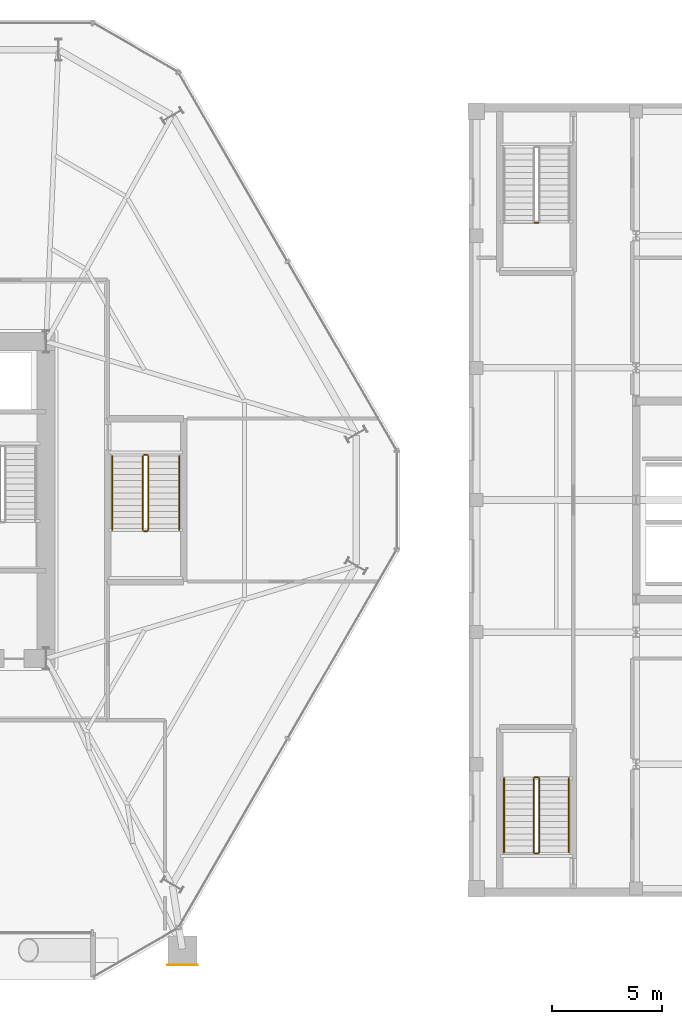
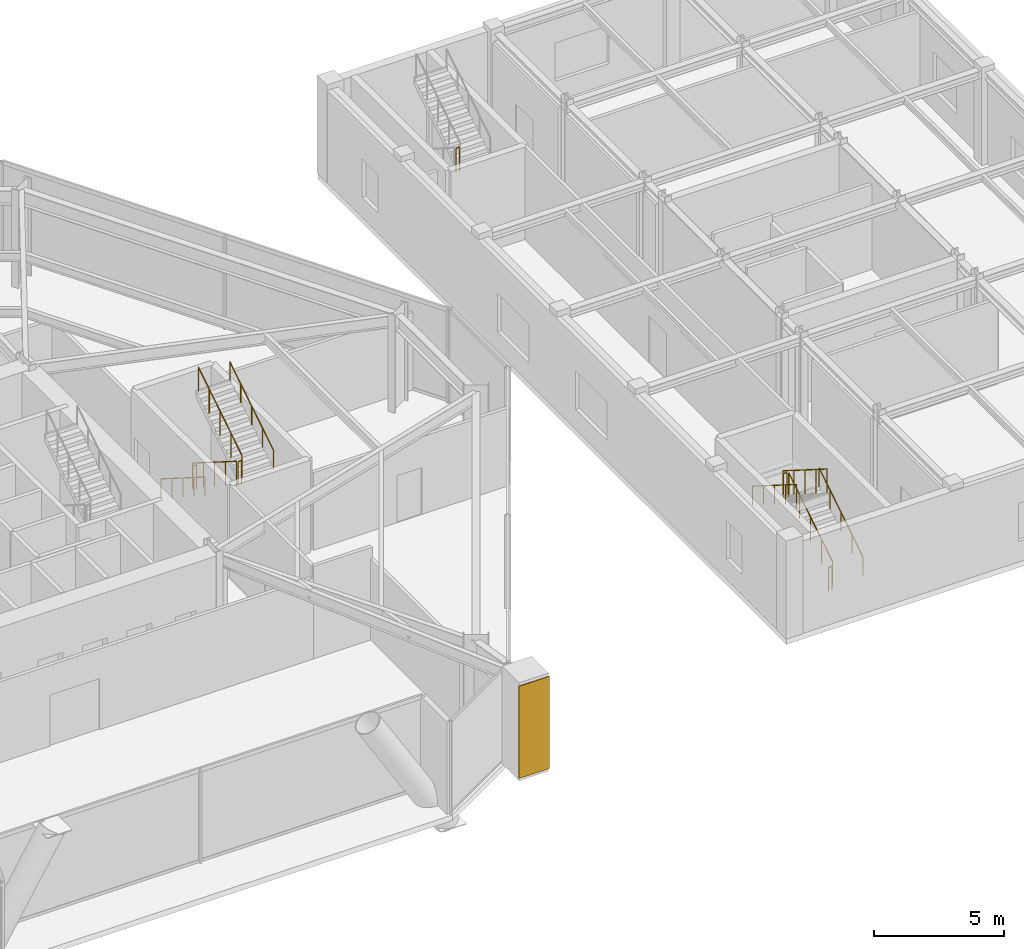
# One storey, part 22 of 23: 13 railings, 1 covering.
"""IFC4 building model written with IfcOpenShell, lengths in metres."""

from ifc_helpers import new_model, si_unit, direction, frame, origin, origin_2d, place, context, subcontext, project, spatial, rectangle, circle, extrude, material, layer, layer_set, type_object, element, save


model = new_model("IFC4")

# Units and contexts
model_context = context("Model", 3, precision=1e-05, world=origin(), true_north=direction((0.0, 1.0)))
body_context = subcontext(model_context, "Body", "Model", "MODEL_VIEW")
ifc_project = project(units=[si_unit("LENGTHUNIT", "METRE"), si_unit("AREAUNIT", "SQUARE_METRE"), si_unit("VOLUMEUNIT", "CUBIC_METRE"), si_unit("PLANEANGLEUNIT", "RADIAN"), si_unit("MASSUNIT", "GRAM", prefix="KILO")], contexts=[model_context])

# Site, building, storey
site_placement = place(None, origin())
site = spatial("IfcSite", under=ifc_project, at=site_placement, CompositionType="ELEMENT")
building_placement = place(site_placement, origin())
building = spatial("IfcBuilding", under=site, at=building_placement, Name="Kranzbogen Civic Tower", CompositionType="ELEMENT")
storey_placement = place(building_placement, frame((0.0, 0.0, 9.800048828125)))
storey = spatial("IfcBuildingStorey", under=building, at=storey_placement, Name="L02", CompositionType="ELEMENT", Elevation=9.800048828125)

# Railings
ifc_material_1 = material(Name="Steel S355", Category="steel")
railing_type_1 = type_object("IfcRailingType", Name="Internal Stair and Void Steel Guardrail 1150", PredefinedType="GUARDRAIL", material=ifc_material_1)
railing_1_placement = place(storey_placement, frame((37.199951171875, 27.0, 0.1767578125)))
element("IfcRailing", 1, at=railing_1_placement, inside=storey, type_object=railing_type_1, Name="L02 ST-P2 stair guard 1", PredefinedType="GUARDRAIL", context=body_context, shape_type="SweptSolid", body=[
    extrude(circle(Radius=0.02392578125, at=origin_2d()), frame((0.0, 0.0, 1.1259765625), z_axis=(0.0, -0.845361898145, 0.534194029511), x_axis=(1.0, 0.0, 0.0)), (0.0, 0.0, 1.0), 3.974853515625),
    extrude(circle(Radius=0.02099609375, at=origin_2d()), origin(), (0.0, 0.0, 1.0), 1.101806640625),
    extrude(circle(Radius=0.02099609375, at=origin_2d()), frame((0.0, -0.840087890625, 0.53076171875)), (0.0, 0.0, 1.0), 1.101806640625),
    extrude(circle(Radius=0.02099609375, at=origin_2d()), frame((0.0, -1.68017578125, 1.0615234375)), (0.0, 0.0, 1.0), 1.101806640625),
    extrude(circle(Radius=0.02099609375, at=origin_2d()), frame((0.0, -2.52001953125, 1.592529296875)), (0.0, 0.0, 1.0), 1.101806640625),
    extrude(circle(Radius=0.02099609375, at=origin_2d()), frame((0.0, -3.360107421875, 2.123291015625)), (0.0, 0.0, 1.0), 1.101806640625),
])
railing_2_placement = place(storey_placement, frame((37.25, 23.590087890625, 2.300048828125)))
element("IfcRailing", 2, at=railing_2_placement, inside=storey, type_object=railing_type_1, Name="L02 ST-P2 stair guard 2", PredefinedType="GUARDRAIL", context=body_context, shape_type="SweptSolid", body=[
    extrude(circle(Radius=0.02392578125, at=origin_2d()), frame((0.0, 0.0, 1.1259765625), z_axis=(1.0, 0.0, 0.0), x_axis=(0.0, 1.0, 0.0)), (0.0, 0.0, 1.0), 0.14990234375),
    extrude(circle(Radius=0.02099609375, at=origin_2d()), origin(), (0.0, 0.0, 1.0), 1.101806640625),
    extrude(circle(Radius=0.02099609375, at=origin_2d()), frame((0.14990234375, 0.0, 0.0)), (0.0, 0.0, 1.0), 1.101806640625),
])
railing_3_placement = place(storey_placement, frame((37.449951171875, 23.639892578125, 2.476806640625)))
element("IfcRailing", 3, at=railing_3_placement, inside=storey, type_object=railing_type_1, Name="L02 ST-P2 stair guard 3", PredefinedType="GUARDRAIL", context=body_context, shape_type="SweptSolid", body=[
    extrude(circle(Radius=0.02392578125, at=origin_2d()), frame((0.0, 0.0, 1.1259765625), z_axis=(0.0, 0.845389635667, 0.534150132366), x_axis=(-1.0, 0.0, 0.0)), (0.0, 0.0, 1.0), 3.974609375),
    extrude(circle(Radius=0.02099609375, at=origin_2d()), origin(), (0.0, 0.0, 1.0), 1.101806640625),
    extrude(circle(Radius=0.02099609375, at=origin_2d()), frame((0.0, 0.840087890625, 0.53076171875)), (0.0, 0.0, 1.0), 1.101806640625),
    extrude(circle(Radius=0.02099609375, at=origin_2d()), frame((0.0, 1.68017578125, 1.0615234375)), (0.0, 0.0, 1.0), 1.101806640625),
    extrude(circle(Radius=0.02099609375, at=origin_2d()), frame((0.0, 2.52001953125, 1.59228515625)), (0.0, 0.0, 1.0), 1.101806640625),
    extrude(circle(Radius=0.02099609375, at=origin_2d()), frame((0.0, 3.360107421875, 2.123046875)), (0.0, 0.0, 1.0), 1.101806640625),
])
railing_4_placement = place(storey_placement, frame((37.25, 27.050048828125, 0.0)))
element("IfcRailing", 4, at=railing_4_placement, inside=storey, type_object=railing_type_1, Name="L02 ST-P2 stair guard 4", PredefinedType="GUARDRAIL", context=body_context, shape_type="SweptSolid", body=[
    extrude(circle(Radius=0.02392578125, at=origin_2d()), frame((0.0, 0.0, 1.1259765625), z_axis=(1.0, 0.0, 0.0), x_axis=(0.0, 1.0, 0.0)), (0.0, 0.0, 1.0), 0.14990234375),
    extrude(circle(Radius=0.02099609375, at=origin_2d()), origin(), (0.0, 0.0, 1.0), 1.101806640625),
    extrude(circle(Radius=0.02099609375, at=origin_2d()), frame((0.14990234375, 0.0, 0.0)), (0.0, 0.0, 1.0), 1.101806640625),
])
railing_5_placement = place(storey_placement, frame((55.199951171875, 9.0, 0.1767578125)))
element("IfcRailing", 5, at=railing_5_placement, inside=storey, type_object=railing_type_1, Name="L02 ST-H1 stair guard 1", PredefinedType="GUARDRAIL", context=body_context, shape_type="SweptSolid", body=[
    extrude(circle(Radius=0.02392578125, at=origin_2d()), frame((0.0, 0.0, 1.1259765625), z_axis=(0.0, 0.845361898145, 0.534194029511), x_axis=(-1.0, 0.0, 0.0)), (0.0, 0.0, 1.0), 3.974853515625),
    extrude(circle(Radius=0.02099609375, at=origin_2d()), origin(), (0.0, 0.0, 1.0), 1.101806640625),
    extrude(circle(Radius=0.02099609375, at=origin_2d()), frame((0.0, 0.840087890625, 0.53076171875)), (0.0, 0.0, 1.0), 1.101806640625),
    extrude(circle(Radius=0.02099609375, at=origin_2d()), frame((0.0, 1.68017578125, 1.0615234375)), (0.0, 0.0, 1.0), 1.101806640625),
    extrude(circle(Radius=0.02099609375, at=origin_2d()), frame((0.0, 2.52001953125, 1.592529296875)), (0.0, 0.0, 1.0), 1.101806640625),
    extrude(circle(Radius=0.02099609375, at=origin_2d()), frame((0.0, 3.360107421875, 2.123291015625)), (0.0, 0.0, 1.0), 1.101806640625),
])
railing_6_placement = place(storey_placement, frame((55.14990234375, 12.409912109375, 2.300048828125)))
element("IfcRailing", 6, at=railing_6_placement, inside=storey, type_object=railing_type_1, Name="L02 ST-H1 stair guard 2", PredefinedType="GUARDRAIL", context=body_context, shape_type="SweptSolid", body=[
    extrude(circle(Radius=0.02392578125, at=origin_2d()), frame((0.0, 0.0, 1.1259765625), z_axis=(-1.0, 0.0, 0.0), x_axis=(0.0, -1.0, 0.0)), (0.0, 0.0, 1.0), 0.14990234375),
    extrude(circle(Radius=0.02099609375, at=origin_2d()), origin(), (0.0, 0.0, 1.0), 1.101806640625),
    extrude(circle(Radius=0.02099609375, at=origin_2d()), frame((-0.14990234375, 0.0, 0.0)), (0.0, 0.0, 1.0), 1.101806640625),
])
railing_7_placement = place(storey_placement, frame((54.949951171875, 12.360107421875, 2.476806640625)))
element("IfcRailing", 7, at=railing_7_placement, inside=storey, type_object=railing_type_1, Name="L02 ST-H1 stair guard 3", PredefinedType="GUARDRAIL", context=body_context, shape_type="SweptSolid", body=[
    extrude(circle(Radius=0.02392578125, at=origin_2d()), frame((0.0, 0.0, 1.1259765625), z_axis=(0.0, -0.845389635667, 0.534150132366), x_axis=(1.0, 0.0, 0.0)), (0.0, 0.0, 1.0), 3.974609375),
    extrude(circle(Radius=0.02099609375, at=origin_2d()), origin(), (0.0, 0.0, 1.0), 1.101806640625),
    extrude(circle(Radius=0.02099609375, at=origin_2d()), frame((0.0, -0.840087890625, 0.53076171875)), (0.0, 0.0, 1.0), 1.101806640625),
    extrude(circle(Radius=0.02099609375, at=origin_2d()), frame((0.0, -1.68017578125, 1.0615234375)), (0.0, 0.0, 1.0), 1.101806640625),
    extrude(circle(Radius=0.02099609375, at=origin_2d()), frame((0.0, -2.52001953125, 1.59228515625)), (0.0, 0.0, 1.0), 1.101806640625),
    extrude(circle(Radius=0.02099609375, at=origin_2d()), frame((0.0, -3.360107421875, 2.123046875)), (0.0, 0.0, 1.0), 1.101806640625),
])
railing_8_placement = place(storey_placement, frame((55.14990234375, 8.949951171875, 0.0)))
element("IfcRailing", 8, at=railing_8_placement, inside=storey, type_object=railing_type_1, Name="L02 ST-H1 stair guard 4", PredefinedType="GUARDRAIL", context=body_context, shape_type="SweptSolid", body=[
    extrude(circle(Radius=0.02392578125, at=origin_2d()), frame((0.0, 0.0, 1.1259765625), z_axis=(-1.0, 0.0, 0.0), x_axis=(0.0, -1.0, 0.0)), (0.0, 0.0, 1.0), 0.14990234375),
    extrude(circle(Radius=0.02099609375, at=origin_2d()), origin(), (0.0, 0.0, 1.0), 1.101806640625),
    extrude(circle(Radius=0.02099609375, at=origin_2d()), frame((-0.14990234375, 0.0, 0.0)), (0.0, 0.0, 1.0), 1.101806640625),
])
railing_9_placement = place(storey_placement, frame((55.0, 37.590087890625, 2.300048828125)))
element("IfcRailing", 9, at=railing_9_placement, inside=storey, type_object=railing_type_1, Name="L02 ST-H2 stair guard 2", PredefinedType="GUARDRAIL", context=body_context, shape_type="SweptSolid", body=[
    extrude(circle(Radius=0.02392578125, at=origin_2d()), frame((0.0, 0.0, 1.1259765625), z_axis=(1.0, 0.0, 0.0), x_axis=(0.0, 1.0, 0.0)), (0.0, 0.0, 1.0), 0.14990234375),
    extrude(circle(Radius=0.02099609375, at=origin_2d()), origin(), (0.0, 0.0, 1.0), 1.101806640625),
    extrude(circle(Radius=0.02099609375, at=origin_2d()), frame((0.14990234375, 0.0, 0.0)), (0.0, 0.0, 1.0), 1.101806640625),
])

# Covering
ifc_material_2 = material(Name="Anodised Bronze Aluminium", Category="aluminium")
ifc_layer = layer(ifc_material_2, 0.034912109375, Name="Anodised Bronze Aluminium")
ifc_layer_set = layer_set([ifc_layer], Name="Anodised Bronze Aluminium")
covering_type = type_object("IfcCoveringType", Name="Portal Arch Pier Anodised Metal Cladding 35 mm", PredefinedType="CLADDING", material=ifc_layer_set)
covering_placement = place(storey_placement, frame((39.0, 3.882080078125, 0.14013671875), z_axis=(0.0, 0.0, 1.0), x_axis=(1.0, 0.0, 0.0)))
element("IfcCovering", 10, at=covering_placement, inside=storey, type_object=covering_type, Name="L02 portal arch pier 2 cladding", PredefinedType="CLADDING", context=body_context, shape_type="SweptSolid", body=[
    extrude(rectangle(XDim=1.3701171875, YDim=0.034912109375, at=origin_2d()), origin(), (0.0, 0.0, 1.0), 4.320068359375),
])

# Railings
ifc_material_3 = material(Name="Pale Anodised Aluminium", Category="aluminium")
railing_type_2 = type_object("IfcRailingType", Name="Tubular Stainless Stair Wall Handrail 900", PredefinedType="HANDRAIL", material=ifc_material_3)
railing_10_placement = place(storey_placement, frame((35.800048828125, 27.0, 0.1767578125)))
element("IfcRailing", 11, at=railing_10_placement, inside=storey, type_object=railing_type_2, Name="L02 ST-P2 stair handrail 1", PredefinedType="HANDRAIL", context=body_context, shape_type="SweptSolid", body=[
    extrude(circle(Radius=0.02392578125, at=origin_2d()), frame((0.0, 0.0, 0.8759765625), z_axis=(0.0, -0.845361898145, 0.534194029511), x_axis=(1.0, 0.0, 0.0)), (0.0, 0.0, 1.0), 3.974853515625),
    extrude(circle(Radius=0.02099609375, at=origin_2d()), origin(), (0.0, 0.0, 1.0), 0.851806640625),
    extrude(circle(Radius=0.02099609375, at=origin_2d()), frame((0.0, -0.840087890625, 0.53076171875)), (0.0, 0.0, 1.0), 0.851806640625),
    extrude(circle(Radius=0.02099609375, at=origin_2d()), frame((0.0, -1.68017578125, 1.0615234375)), (0.0, 0.0, 1.0), 0.851806640625),
    extrude(circle(Radius=0.02099609375, at=origin_2d()), frame((0.0, -2.52001953125, 1.592529296875)), (0.0, 0.0, 1.0), 0.851806640625),
    extrude(circle(Radius=0.02099609375, at=origin_2d()), frame((0.0, -3.360107421875, 2.123291015625)), (0.0, 0.0, 1.0), 0.851806640625),
])
railing_11_placement = place(storey_placement, frame((38.85009765625, 23.639892578125, 2.476806640625)))
element("IfcRailing", 12, at=railing_11_placement, inside=storey, type_object=railing_type_2, Name="L02 ST-P2 stair handrail 2", PredefinedType="HANDRAIL", context=body_context, shape_type="SweptSolid", body=[
    extrude(circle(Radius=0.02392578125, at=origin_2d()), frame((0.0, 0.0, 0.8759765625), z_axis=(0.0, 0.845389635667, 0.534150132366), x_axis=(-1.0, 0.0, 0.0)), (0.0, 0.0, 1.0), 3.974609375),
    extrude(circle(Radius=0.02099609375, at=origin_2d()), origin(), (0.0, 0.0, 1.0), 0.851806640625),
    extrude(circle(Radius=0.02099609375, at=origin_2d()), frame((0.0, 0.840087890625, 0.53076171875)), (0.0, 0.0, 1.0), 0.851806640625),
    extrude(circle(Radius=0.02099609375, at=origin_2d()), frame((0.0, 1.68017578125, 1.0615234375)), (0.0, 0.0, 1.0), 0.851806640625),
    extrude(circle(Radius=0.02099609375, at=origin_2d()), frame((0.0, 2.52001953125, 1.59228515625)), (0.0, 0.0, 1.0), 0.851806640625),
    extrude(circle(Radius=0.02099609375, at=origin_2d()), frame((0.0, 3.360107421875, 2.123046875)), (0.0, 0.0, 1.0), 0.851806640625),
])
railing_12_placement = place(storey_placement, frame((56.550048828125, 9.0, 0.1767578125)))
element("IfcRailing", 13, at=railing_12_placement, inside=storey, type_object=railing_type_2, Name="L02 ST-H1 stair handrail 1", PredefinedType="HANDRAIL", context=body_context, shape_type="SweptSolid", body=[
    extrude(circle(Radius=0.02392578125, at=origin_2d()), frame((0.0, 0.0, 0.8759765625), z_axis=(0.0, 0.845361898145, 0.534194029511), x_axis=(-1.0, 0.0, 0.0)), (0.0, 0.0, 1.0), 3.974853515625),
    extrude(circle(Radius=0.02099609375, at=origin_2d()), origin(), (0.0, 0.0, 1.0), 0.851806640625),
    extrude(circle(Radius=0.02099609375, at=origin_2d()), frame((0.0, 0.840087890625, 0.53076171875)), (0.0, 0.0, 1.0), 0.851806640625),
    extrude(circle(Radius=0.02099609375, at=origin_2d()), frame((0.0, 1.68017578125, 1.0615234375)), (0.0, 0.0, 1.0), 0.851806640625),
    extrude(circle(Radius=0.02099609375, at=origin_2d()), frame((0.0, 2.52001953125, 1.592529296875)), (0.0, 0.0, 1.0), 0.851806640625),
    extrude(circle(Radius=0.02099609375, at=origin_2d()), frame((0.0, 3.360107421875, 2.123291015625)), (0.0, 0.0, 1.0), 0.851806640625),
])
railing_13_placement = place(storey_placement, frame((53.60009765625, 12.360107421875, 2.476806640625)))
element("IfcRailing", 14, at=railing_13_placement, inside=storey, type_object=railing_type_2, Name="L02 ST-H1 stair handrail 2", PredefinedType="HANDRAIL", context=body_context, shape_type="SweptSolid", body=[
    extrude(circle(Radius=0.02392578125, at=origin_2d()), frame((0.0, 0.0, 0.8759765625), z_axis=(0.0, -0.845389635667, 0.534150132366), x_axis=(1.0, 0.0, 0.0)), (0.0, 0.0, 1.0), 3.974609375),
    extrude(circle(Radius=0.02099609375, at=origin_2d()), origin(), (0.0, 0.0, 1.0), 0.851806640625),
    extrude(circle(Radius=0.02099609375, at=origin_2d()), frame((0.0, -0.840087890625, 0.53076171875)), (0.0, 0.0, 1.0), 0.851806640625),
    extrude(circle(Radius=0.02099609375, at=origin_2d()), frame((0.0, -1.68017578125, 1.0615234375)), (0.0, 0.0, 1.0), 0.851806640625),
    extrude(circle(Radius=0.02099609375, at=origin_2d()), frame((0.0, -2.52001953125, 1.59228515625)), (0.0, 0.0, 1.0), 0.851806640625),
    extrude(circle(Radius=0.02099609375, at=origin_2d()), frame((0.0, -3.360107421875, 2.123046875)), (0.0, 0.0, 1.0), 0.851806640625),
])

save(model, "model.ifc")
